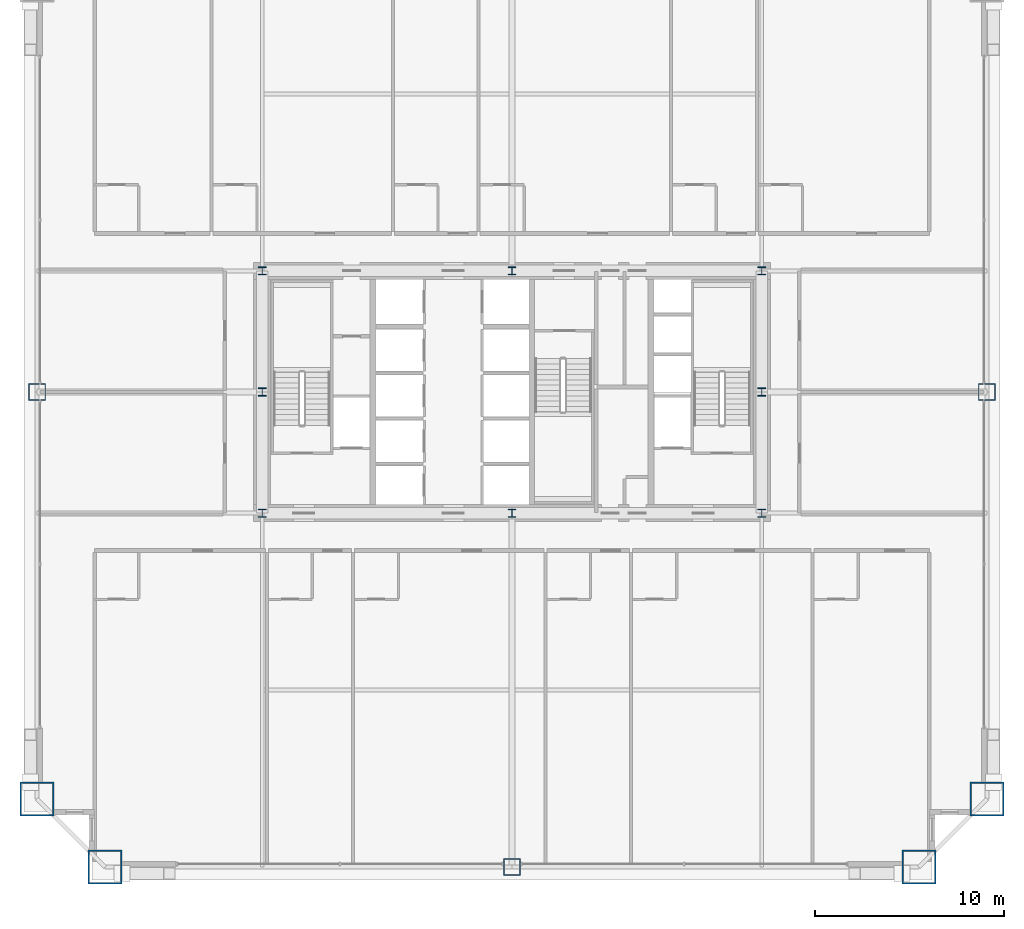
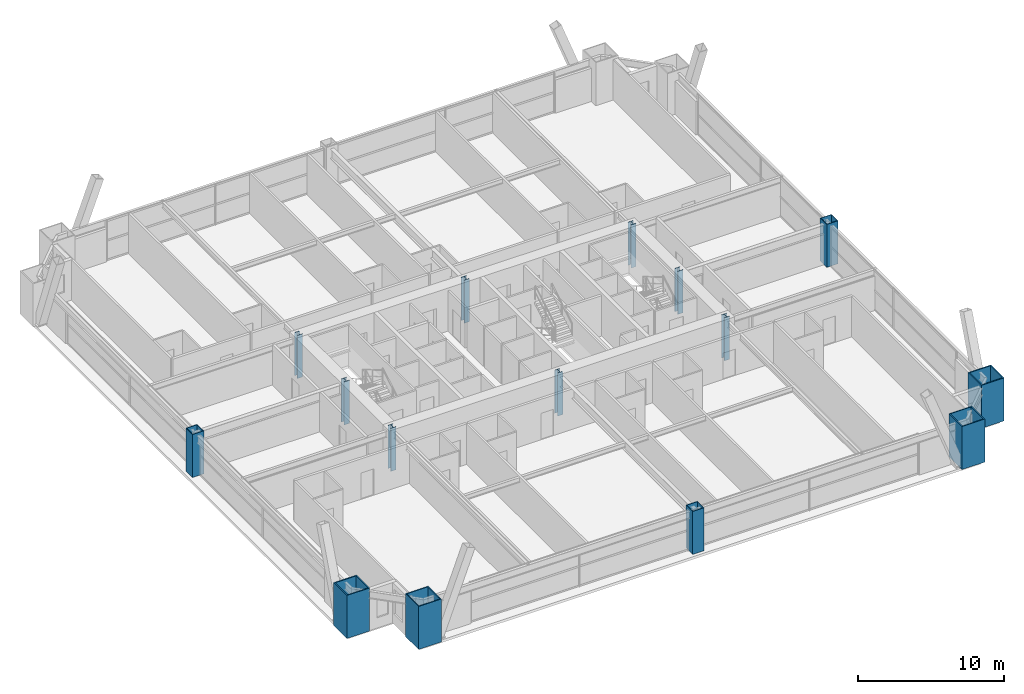
# One storey, part 1 of 43: 15 columns.
"""IFC4 building model written with IfcOpenShell, lengths in metres."""

from ifc_helpers import new_model, si_unit, direction, frame, origin, origin_2d, place, context, subcontext, project, spatial, hollow_rectangle, i_section, extrude, source, transform, mapped, material, material_profile, profile_set, type_object, element, save


model = new_model("IFC4")

# Units and contexts
model_context = context("Model", 3, precision=1e-05, world=origin(), true_north=direction((0.0, 1.0)))
body_context = subcontext(model_context, "Body", "Model", "MODEL_VIEW")
ifc_project = project(units=[si_unit("LENGTHUNIT", "METRE"), si_unit("AREAUNIT", "SQUARE_METRE"), si_unit("VOLUMEUNIT", "CUBIC_METRE"), si_unit("PLANEANGLEUNIT", "RADIAN"), si_unit("MASSUNIT", "GRAM", prefix="KILO"), si_unit("THERMODYNAMICTEMPERATUREUNIT", "KELVIN"), si_unit("POWERUNIT", "WATT")], contexts=[model_context])

# Site, building, storey
site_placement = place(None, origin())
site = spatial("IfcSite", under=ifc_project, at=site_placement, CompositionType="ELEMENT")
building_placement = place(site_placement, origin())
building = spatial("IfcBuilding", under=site, at=building_placement, Name="Yuzanri Waterfront Tower", CompositionType="ELEMENT")
storey_placement = place(building_placement, frame((0.0, 0.0, 67.60009765625)))
storey = spatial("IfcBuildingStorey", under=building, at=storey_placement, Name="L17", CompositionType="ELEMENT", Elevation=67.60009765625)

# Columns
ifc_material_1 = material(Name="Steel Q355B", Category="steel")
ifc_material_profile_1 = material_profile(ifc_material_1, i_section(OverallWidth=0.406982421875, OverallDepth=0.427978515625, WebThickness=0.02001953125, FlangeThickness=0.034912109375, at=origin_2d()), Name="HW 428x407x20x35")
ifc_profile_set_1 = profile_set([ifc_material_profile_1], Name="Steel Q355B")
column_type_1 = type_object("IfcColumnType", Name="Core Post Q355B HW 428x407x20x35", PredefinedType="COLUMN", material=ifc_profile_set_1)
shared_shape_1 = source(origin(), body_context, "Body", "SweptSolid", [
    extrude(i_section(OverallWidth=0.406982421875, OverallDepth=0.427978515625, WebThickness=0.02001953125, FlangeThickness=0.034912109375, at=origin_2d()), origin(), (0.0, 0.0, 1.0), 3.599853515625),
])
for number, where, z_axis, x_axis, name in (
    (1, (23.800048828125, 19.39990234375, 0.0), (0.0, 0.0, 1.0), (1.0, 0.0, 0.0), "L17 Core Boundary Column CP1"),
    (2, (37.0, 19.39990234375, 0.0), (0.0, 0.0, 1.0), (1.0, 0.0, 0.0), "L17 Core Boundary Column CP2"),
    (3, (50.199951171875, 19.39990234375, 0.0), (0.0, 0.0, 1.0), (1.0, 0.0, 0.0), "L17 Core Boundary Column CP3"),
    (4, (23.800048828125, 25.800048828125, 0.0), (0.0, 0.0, 1.0), (1.0, 0.0, 0.0), "L17 Core Boundary Column CP4"),
    (5, (50.199951171875, 25.800048828125, 0.0), (0.0, 0.0, 1.0), (1.0, 0.0, 0.0), "L17 Core Boundary Column CP5"),
    (6, (23.800048828125, 32.199951171875, 0.0), (0.0, 0.0, 1.0), (1.0, 0.0, 0.0), "L17 Core Boundary Column CP6"),
    (7, (37.0, 32.199951171875, 0.0), (0.0, 0.0, 1.0), (1.0, 0.0, 0.0), "L17 Core Boundary Column CP7"),
    (8, (50.199951171875, 32.199951171875, 0.0), (0.0, 0.0, 1.0), (1.0, 0.0, 0.0), "L17 Core Boundary Column CP8"),
):
    element("IfcColumn", number, at=place(storey_placement, frame(where, z_axis=z_axis, x_axis=x_axis)), inside=storey, type_object=column_type_1, Name=name, PredefinedType="COLUMN", context=body_context, shape_type="MappedRepresentation", body=[
        mapped(shared_shape_1, transform((0.0, 0.0, 0.0), scale=1.0)),
    ])
ifc_material_2 = material(Name="Steel Q420GJC", Category="steel")
ifc_material_profile_2 = material_profile(ifc_material_2, hollow_rectangle(XDim=1.800048828125, YDim=1.800048828125, WallThickness=0.080078125, at=origin_2d()), Name="RHS 1800x1800x80")
ifc_profile_set_2 = profile_set([ifc_material_profile_2], Name="Steel Q420GJC")
column_type_2 = type_object("IfcColumnType", Name="Mega Column Q420GJC RHS 1800x1800x80", PredefinedType="COLUMN", material=ifc_profile_set_2)
shared_shape_2 = source(origin(), body_context, "Body", "SweptSolid", [
    extrude(hollow_rectangle(XDim=1.800048828125, YDim=1.800048828125, WallThickness=0.080078125, at=origin_2d()), origin(), (0.0, 0.0, 1.0), 3.599853515625),
])
for number, where, z_axis, x_axis, name in (
    (9, (15.5, 0.699951171875, 0.0), (0.0, 0.0, 1.0), (1.0, 0.0, 0.0), "L17 Perimeter Mega Column S1"),
    (10, (58.5, 0.699951171875, 0.0), (0.0, 0.0, 1.0), (1.0, 0.0, 0.0), "L17 Perimeter Mega Column S3"),
    (11, (11.89990234375, 4.300048828125, 0.0), (0.0, 0.0, 1.0), (1.0, 0.0, 0.0), "L17 Perimeter Mega Column W1"),
    (12, (62.10009765625, 4.300048828125, 0.0), (0.0, 0.0, 1.0), (1.0, 0.0, 0.0), "L17 Perimeter Mega Column E1"),
):
    element("IfcColumn", number, at=place(storey_placement, frame(where, z_axis=z_axis, x_axis=x_axis)), inside=storey, type_object=column_type_2, Name=name, PredefinedType="COLUMN", context=body_context, shape_type="MappedRepresentation", body=[
        mapped(shared_shape_2, transform((0.0, 0.0, 0.0), scale=1.0)),
    ])
ifc_material_3 = material(Name="Steel Q390GJC", Category="steel")
ifc_material_profile_3 = material_profile(ifc_material_3, hollow_rectangle(XDim=0.89990234375, YDim=0.89990234375, WallThickness=0.0419921875, at=origin_2d()), Name="RHS 900x900x42")
ifc_profile_set_3 = profile_set([ifc_material_profile_3], Name="Steel Q390GJC")
column_type_3 = type_object("IfcColumnType", Name="Frame Column Q390GJC RHS 900x900x42", PredefinedType="COLUMN", material=ifc_profile_set_3)
shared_shape_3 = source(origin(), body_context, "Body", "SweptSolid", [
    extrude(hollow_rectangle(XDim=0.89990234375, YDim=0.89990234375, WallThickness=0.0419921875, at=origin_2d()), origin(), (0.0, 0.0, 1.0), 3.599853515625),
])
for number, where, z_axis, x_axis, name in (
    (13, (37.0, 0.699951171875, 0.0), (0.0, 0.0, 1.0), (1.0, 0.0, 0.0), "L17 Perimeter Frame Column S2"),
    (14, (11.89990234375, 25.800048828125, 0.0), (0.0, 0.0, 1.0), (1.0, 0.0, 0.0), "L17 Perimeter Frame Column W2"),
    (15, (62.10009765625, 25.800048828125, 0.0), (0.0, 0.0, 1.0), (1.0, 0.0, 0.0), "L17 Perimeter Frame Column E2"),
):
    element("IfcColumn", number, at=place(storey_placement, frame(where, z_axis=z_axis, x_axis=x_axis)), inside=storey, type_object=column_type_3, Name=name, PredefinedType="COLUMN", context=body_context, shape_type="MappedRepresentation", body=[
        mapped(shared_shape_3, transform((0.0, 0.0, 0.0), scale=1.0)),
    ])

save(model, "model.ifc")
